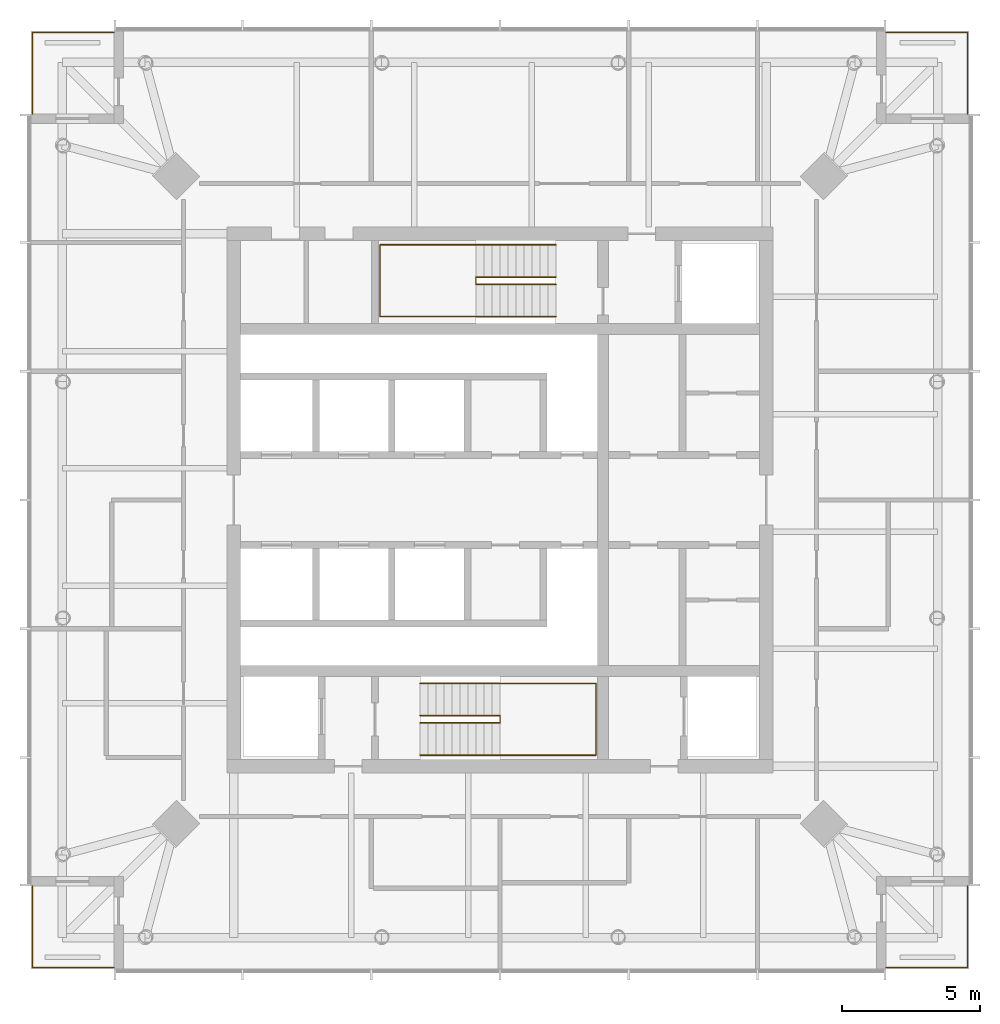
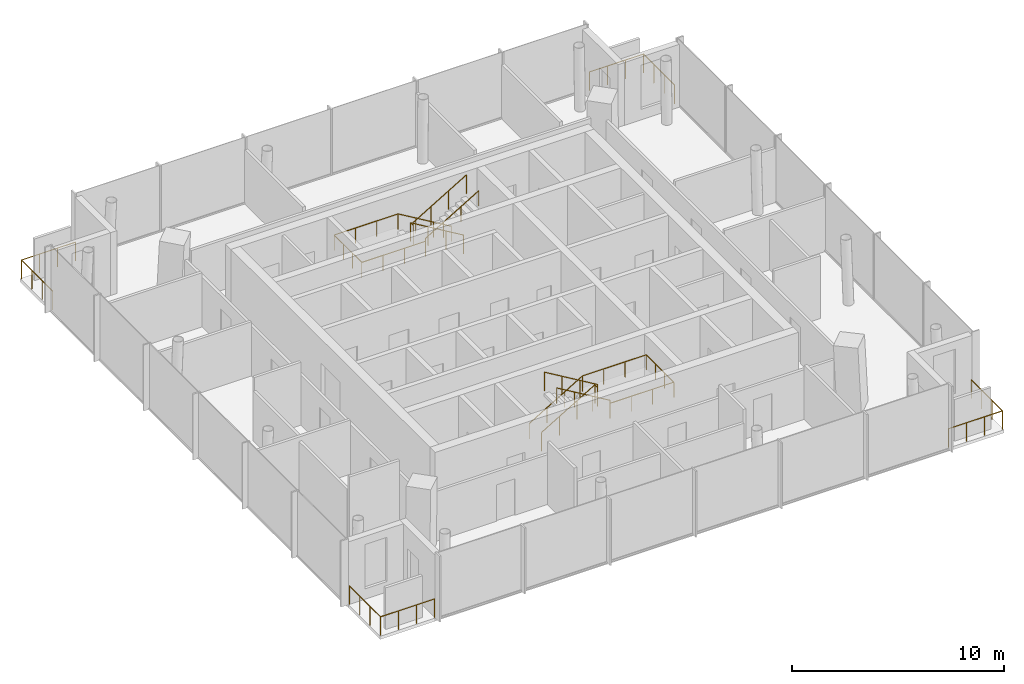
# One storey, part 7 of 7: 8 railings.
"""IFC4 building model written with IfcOpenShell, lengths in metres."""

from ifc_helpers import new_model, si_unit, direction, frame, origin, origin_2d, place, context, subcontext, project, spatial, circle, extrude, material, type_object, element, save


model = new_model("IFC4")

# Units and contexts
model_context = context("Model", 3, precision=1e-05, world=origin(), true_north=direction((0.0, 1.0)))
body_context = subcontext(model_context, "Body", "Model", "MODEL_VIEW")
ifc_project = project(units=[si_unit("LENGTHUNIT", "METRE"), si_unit("AREAUNIT", "SQUARE_METRE"), si_unit("VOLUMEUNIT", "CUBIC_METRE"), si_unit("PLANEANGLEUNIT", "RADIAN"), si_unit("MASSUNIT", "GRAM", prefix="KILO")], contexts=[model_context])

# Site, building, storey
site_placement = place(None, origin())
site = spatial("IfcSite", under=ifc_project, at=site_placement, CompositionType="ELEMENT")
building_placement = place(site_placement, origin())
building = spatial("IfcBuilding", under=site, at=building_placement, Name="Ostroluk Exchange", CompositionType="ELEMENT")
storey_placement = place(building_placement, frame((0.0, 0.0, 275.60009765625)))
storey = spatial("IfcBuildingStorey", under=building, at=storey_placement, Name="L71", CompositionType="ELEMENT", Elevation=275.60009765625)

# Railings
ifc_material_1 = material(Name="Stainless steel", Category="steel")
railing_type_1 = type_object("IfcRailingType", Name="Guard 1100 stainless steel", PredefinedType="GUARDRAIL", material=ifc_material_1)
railing_1_placement = place(storey_placement, frame((59.0, 29.050048828125, 0.0)))
element("IfcRailing", 1, at=railing_1_placement, inside=storey, type_object=railing_type_1, Name="Office tower SE balcony guard L71", PredefinedType="GUARDRAIL", context=body_context, shape_type="SweptSolid", body=[
    extrude(circle(Radius=0.02392578125, at=origin_2d()), frame((0.0, 0.0, 1.076171875), z_axis=(1.0, 0.0, 0.0), x_axis=(0.0, 1.0, 0.0)), (0.0, 0.0, 1.0), 2.949951171875),
    extrude(circle(Radius=0.02392578125, at=origin_2d()), frame((2.949951171875, 0.0, 1.076171875), z_axis=(0.0, 1.0, 0.0), x_axis=(-1.0, 0.0, 0.0)), (0.0, 0.0, 1.0), 2.949951171875),
    extrude(circle(Radius=0.02099609375, at=origin_2d()), origin(), (0.0, 0.0, 1.0), 1.052001953125),
    extrude(circle(Radius=0.02099609375, at=origin_2d()), frame((0.9833984375, 0.0, 0.0)), (0.0, 0.0, 1.0), 1.052001953125),
    extrude(circle(Radius=0.02099609375, at=origin_2d()), frame((1.966552734375, 0.0, 0.0)), (0.0, 0.0, 1.0), 1.052001953125),
    extrude(circle(Radius=0.02099609375, at=origin_2d()), frame((2.949951171875, 0.0, 0.0)), (0.0, 0.0, 1.0), 1.052001953125),
    extrude(circle(Radius=0.02099609375, at=origin_2d()), frame((2.949951171875, 0.9833984375, 0.0)), (0.0, 0.0, 1.0), 1.052001953125),
    extrude(circle(Radius=0.02099609375, at=origin_2d()), frame((2.949951171875, 1.966552734375, 0.0)), (0.0, 0.0, 1.0), 1.052001953125),
    extrude(circle(Radius=0.02099609375, at=origin_2d()), frame((2.949951171875, 2.949951171875, 0.0)), (0.0, 0.0, 1.0), 1.052001953125),
])
railing_2_placement = place(storey_placement, frame((59.0, 62.949951171875, 0.0)))
element("IfcRailing", 2, at=railing_2_placement, inside=storey, type_object=railing_type_1, Name="Office tower NE balcony guard L71", PredefinedType="GUARDRAIL", context=body_context, shape_type="SweptSolid", body=[
    extrude(circle(Radius=0.02392578125, at=origin_2d()), frame((0.0, 0.0, 1.076171875), z_axis=(1.0, 0.0, 0.0), x_axis=(0.0, 1.0, 0.0)), (0.0, 0.0, 1.0), 2.949951171875),
    extrude(circle(Radius=0.02392578125, at=origin_2d()), frame((2.949951171875, 0.0, 1.076171875), z_axis=(0.0, -1.0, 0.0), x_axis=(1.0, 0.0, 0.0)), (0.0, 0.0, 1.0), 2.949951171875),
    extrude(circle(Radius=0.02099609375, at=origin_2d()), origin(), (0.0, 0.0, 1.0), 1.052001953125),
    extrude(circle(Radius=0.02099609375, at=origin_2d()), frame((0.9833984375, 0.0, 0.0)), (0.0, 0.0, 1.0), 1.052001953125),
    extrude(circle(Radius=0.02099609375, at=origin_2d()), frame((1.966552734375, 0.0, 0.0)), (0.0, 0.0, 1.0), 1.052001953125),
    extrude(circle(Radius=0.02099609375, at=origin_2d()), frame((2.949951171875, 0.0, 0.0)), (0.0, 0.0, 1.0), 1.052001953125),
    extrude(circle(Radius=0.02099609375, at=origin_2d()), frame((2.949951171875, -0.9833984375, 0.0)), (0.0, 0.0, 1.0), 1.052001953125),
    extrude(circle(Radius=0.02099609375, at=origin_2d()), frame((2.949951171875, -1.966552734375, 0.0)), (0.0, 0.0, 1.0), 1.052001953125),
    extrude(circle(Radius=0.02099609375, at=origin_2d()), frame((2.949951171875, -2.949951171875, 0.0)), (0.0, 0.0, 1.0), 1.052001953125),
])
railing_3_placement = place(storey_placement, frame((31.0, 62.949951171875, 0.0)))
element("IfcRailing", 3, at=railing_3_placement, inside=storey, type_object=railing_type_1, Name="Office tower NW balcony guard L71", PredefinedType="GUARDRAIL", context=body_context, shape_type="SweptSolid", body=[
    extrude(circle(Radius=0.02392578125, at=origin_2d()), frame((0.0, 0.0, 1.076171875), z_axis=(-1.0, 0.0, 0.0), x_axis=(0.0, -1.0, 0.0)), (0.0, 0.0, 1.0), 2.949951171875),
    extrude(circle(Radius=0.02392578125, at=origin_2d()), frame((-2.949951171875, 0.0, 1.076171875), z_axis=(0.0, -1.0, 0.0), x_axis=(1.0, 0.0, 0.0)), (0.0, 0.0, 1.0), 2.949951171875),
    extrude(circle(Radius=0.02099609375, at=origin_2d()), origin(), (0.0, 0.0, 1.0), 1.052001953125),
    extrude(circle(Radius=0.02099609375, at=origin_2d()), frame((-0.9833984375, 0.0, 0.0)), (0.0, 0.0, 1.0), 1.052001953125),
    extrude(circle(Radius=0.02099609375, at=origin_2d()), frame((-1.966552734375, 0.0, 0.0)), (0.0, 0.0, 1.0), 1.052001953125),
    extrude(circle(Radius=0.02099609375, at=origin_2d()), frame((-2.949951171875, 0.0, 0.0)), (0.0, 0.0, 1.0), 1.052001953125),
    extrude(circle(Radius=0.02099609375, at=origin_2d()), frame((-2.949951171875, -0.9833984375, 0.0)), (0.0, 0.0, 1.0), 1.052001953125),
    extrude(circle(Radius=0.02099609375, at=origin_2d()), frame((-2.949951171875, -1.966552734375, 0.0)), (0.0, 0.0, 1.0), 1.052001953125),
    extrude(circle(Radius=0.02099609375, at=origin_2d()), frame((-2.949951171875, -2.949951171875, 0.0)), (0.0, 0.0, 1.0), 1.052001953125),
])
railing_4_placement = place(storey_placement, frame((31.0, 29.050048828125, 0.0)))
element("IfcRailing", 4, at=railing_4_placement, inside=storey, type_object=railing_type_1, Name="Office tower SW balcony guard L71", PredefinedType="GUARDRAIL", context=body_context, shape_type="SweptSolid", body=[
    extrude(circle(Radius=0.02392578125, at=origin_2d()), frame((0.0, 0.0, 1.076171875), z_axis=(-1.0, 0.0, 0.0), x_axis=(0.0, -1.0, 0.0)), (0.0, 0.0, 1.0), 2.949951171875),
    extrude(circle(Radius=0.02392578125, at=origin_2d()), frame((-2.949951171875, 0.0, 1.076171875), z_axis=(0.0, 1.0, 0.0), x_axis=(-1.0, 0.0, 0.0)), (0.0, 0.0, 1.0), 2.949951171875),
    extrude(circle(Radius=0.02099609375, at=origin_2d()), origin(), (0.0, 0.0, 1.0), 1.052001953125),
    extrude(circle(Radius=0.02099609375, at=origin_2d()), frame((-0.9833984375, 0.0, 0.0)), (0.0, 0.0, 1.0), 1.052001953125),
    extrude(circle(Radius=0.02099609375, at=origin_2d()), frame((-1.966552734375, 0.0, 0.0)), (0.0, 0.0, 1.0), 1.052001953125),
    extrude(circle(Radius=0.02099609375, at=origin_2d()), frame((-2.949951171875, 0.0, 0.0)), (0.0, 0.0, 1.0), 1.052001953125),
    extrude(circle(Radius=0.02099609375, at=origin_2d()), frame((-2.949951171875, 0.9833984375, 0.0)), (0.0, 0.0, 1.0), 1.052001953125),
    extrude(circle(Radius=0.02099609375, at=origin_2d()), frame((-2.949951171875, 1.966552734375, 0.0)), (0.0, 0.0, 1.0), 1.052001953125),
    extrude(circle(Radius=0.02099609375, at=origin_2d()), frame((-2.949951171875, 2.949951171875, 0.0)), (0.0, 0.0, 1.0), 1.052001953125),
])
ifc_material_2 = material(Name="Steel S355", Category="steel")
railing_type_2 = type_object("IfcRailingType", Name="Stair guard 1100", PredefinedType="GUARDRAIL", material=ifc_material_2)
railing_5_placement = place(storey_placement, frame((42.10009765625, 38.179931640625, 0.172607421875)))
element("IfcRailing", 5, at=railing_5_placement, inside=storey, type_object=railing_type_2, Name="Stair T1-S1 guard L71", PredefinedType="GUARDRAIL", context=body_context, shape_type="SweptSolid", body=[
    extrude(circle(Radius=0.02392578125, at=origin_2d()), frame((0.0, 0.0, 1.076171875), z_axis=(0.859141464434, 0.0, 0.511738159696), x_axis=(0.0, 1.0, 0.0)), (0.0, 0.0, 1.0), 3.375244140625),
    extrude(circle(Radius=0.02392578125, at=origin_2d()), frame((2.89990234375, 0.0, 2.80322265625), z_axis=(0.0, -1.0, 0.0), x_axis=(1.0, 0.0, 0.0)), (0.0, 0.0, 1.0), 0.260009765625),
    extrude(circle(Radius=0.02392578125, at=origin_2d()), frame((2.89990234375, -0.260009765625, 2.80322265625), z_axis=(0.0, 0.0, 1.0), x_axis=(1.0, 0.0, 0.0)), (0.0, 0.0, 1.0), 0.172607421875),
    extrude(circle(Radius=0.02392578125, at=origin_2d()), frame((2.89990234375, -0.260009765625, 2.97607421875), z_axis=(-0.859141464434, 0.0, 0.511738159696), x_axis=(0.0, -1.0, 0.0)), (0.0, 0.0, 1.0), 3.375244140625),
    extrude(circle(Radius=0.02099609375, at=origin_2d()), origin(), (0.0, 0.0, 1.0), 1.052001953125),
    extrude(circle(Radius=0.02099609375, at=origin_2d()), frame((0.966552734375, 0.0, 0.57568359375)), (0.0, 0.0, 1.0), 1.052001953125),
    extrude(circle(Radius=0.02099609375, at=origin_2d()), frame((1.933349609375, 0.0, 1.151611328125)), (0.0, 0.0, 1.0), 1.052001953125),
    extrude(circle(Radius=0.02099609375, at=origin_2d()), frame((2.89990234375, 0.0, 1.727294921875)), (0.0, 0.0, 1.0), 1.052001953125),
    extrude(circle(Radius=0.02099609375, at=origin_2d()), frame((2.89990234375, -0.260009765625, 1.727294921875)), (0.0, 0.0, 1.0), 1.052001953125),
    extrude(circle(Radius=0.02099609375, at=origin_2d()), frame((2.89990234375, -0.260009765625, 1.89990234375)), (0.0, 0.0, 1.0), 1.052001953125),
    extrude(circle(Radius=0.02099609375, at=origin_2d()), frame((1.933349609375, -0.260009765625, 2.4755859375)), (0.0, 0.0, 1.0), 1.052001953125),
    extrude(circle(Radius=0.02099609375, at=origin_2d()), frame((0.966552734375, -0.260009765625, 3.051513671875)), (0.0, 0.0, 1.0), 1.052001953125),
    extrude(circle(Radius=0.02099609375, at=origin_2d()), frame((0.0, -0.260009765625, 3.627197265625)), (0.0, 0.0, 1.0), 1.052001953125),
])
railing_6_placement = place(storey_placement, frame((47.030029296875, 54.080078125, 0.172607421875)))
element("IfcRailing", 6, at=railing_6_placement, inside=storey, type_object=railing_type_2, Name="Stair T1-S2 guard L71", PredefinedType="GUARDRAIL", context=body_context, shape_type="SweptSolid", body=[
    extrude(circle(Radius=0.02392578125, at=origin_2d()), frame((0.0, 0.0, 1.076171875), z_axis=(-0.859160404282, 0.0, 0.51170636083), x_axis=(0.0, -1.0, 0.0)), (0.0, 0.0, 1.0), 3.37548828125),
    extrude(circle(Radius=0.02392578125, at=origin_2d()), frame((-2.900146484375, 0.0, 2.80322265625), z_axis=(0.0, -1.0, 0.0), x_axis=(1.0, 0.0, 0.0)), (0.0, 0.0, 1.0), 0.260009765625),
    extrude(circle(Radius=0.02392578125, at=origin_2d()), frame((-2.900146484375, -0.260009765625, 2.80322265625), z_axis=(0.0, 0.0, 1.0), x_axis=(1.0, 0.0, 0.0)), (0.0, 0.0, 1.0), 0.172607421875),
    extrude(circle(Radius=0.02392578125, at=origin_2d()), frame((-2.900146484375, -0.260009765625, 2.97607421875), z_axis=(0.859160404282, 0.0, 0.51170636083), x_axis=(0.0, 1.0, 0.0)), (0.0, 0.0, 1.0), 3.37548828125),
    extrude(circle(Radius=0.02099609375, at=origin_2d()), origin(), (0.0, 0.0, 1.0), 1.052001953125),
    extrude(circle(Radius=0.02099609375, at=origin_2d()), frame((-0.966796875, 0.0, 0.57568359375)), (0.0, 0.0, 1.0), 1.052001953125),
    extrude(circle(Radius=0.02099609375, at=origin_2d()), frame((-1.933349609375, 0.0, 1.151611328125)), (0.0, 0.0, 1.0), 1.052001953125),
    extrude(circle(Radius=0.02099609375, at=origin_2d()), frame((-2.900146484375, 0.0, 1.727294921875)), (0.0, 0.0, 1.0), 1.052001953125),
    extrude(circle(Radius=0.02099609375, at=origin_2d()), frame((-2.900146484375, -0.260009765625, 1.727294921875)), (0.0, 0.0, 1.0), 1.052001953125),
    extrude(circle(Radius=0.02099609375, at=origin_2d()), frame((-2.900146484375, -0.260009765625, 1.89990234375)), (0.0, 0.0, 1.0), 1.052001953125),
    extrude(circle(Radius=0.02099609375, at=origin_2d()), frame((-1.933349609375, -0.260009765625, 2.4755859375)), (0.0, 0.0, 1.0), 1.052001953125),
    extrude(circle(Radius=0.02099609375, at=origin_2d()), frame((-0.966796875, -0.260009765625, 3.051513671875)), (0.0, 0.0, 1.0), 1.052001953125),
    extrude(circle(Radius=0.02099609375, at=origin_2d()), frame((0.0, -0.260009765625, 3.627197265625)), (0.0, 0.0, 1.0), 1.052001953125),
])
ifc_material_3 = material(Name="Stainless steel", Category="steel")
railing_type_3 = type_object("IfcRailingType", Name="Stair handrail 900", PredefinedType="HANDRAIL", material=ifc_material_3)
railing_7_placement = place(storey_placement, frame((42.10009765625, 39.35009765625, 0.172607421875)))
element("IfcRailing", 7, at=railing_7_placement, inside=storey, type_object=railing_type_3, Name="Stair T1-S1 handrail L71", PredefinedType="HANDRAIL", context=body_context, shape_type="SweptSolid", body=[
    extrude(circle(Radius=0.02392578125, at=origin_2d()), frame((0.0, 0.0, 0.8759765625), z_axis=(0.859141464434, 0.0, 0.511738159696), x_axis=(0.0, 1.0, 0.0)), (0.0, 0.0, 1.0), 3.375244140625),
    extrude(circle(Radius=0.02392578125, at=origin_2d()), frame((2.89990234375, 0.0, 2.60302734375), z_axis=(1.0, 0.0, 0.0), x_axis=(0.0, 1.0, 0.0)), (0.0, 0.0, 1.0), 3.47998046875),
    extrude(circle(Radius=0.02392578125, at=origin_2d()), frame((6.3798828125, 0.0, 2.60302734375), z_axis=(0.0, -1.0, 0.0), x_axis=(1.0, 0.0, 0.0)), (0.0, 0.0, 1.0), 2.60009765625),
    extrude(circle(Radius=0.02392578125, at=origin_2d()), frame((6.3798828125, -2.60009765625, 2.60302734375), z_axis=(-1.0, 0.0, 0.0), x_axis=(0.0, -1.0, 0.0)), (0.0, 0.0, 1.0), 3.47998046875),
    extrude(circle(Radius=0.02392578125, at=origin_2d()), frame((2.89990234375, -2.60009765625, 2.60302734375), z_axis=(0.0, 0.0, 1.0), x_axis=(1.0, 0.0, 0.0)), (0.0, 0.0, 1.0), 0.172607421875),
    extrude(circle(Radius=0.02392578125, at=origin_2d()), frame((2.89990234375, -2.60009765625, 2.77587890625), z_axis=(-0.859141464434, 0.0, 0.511738159696), x_axis=(0.0, -1.0, 0.0)), (0.0, 0.0, 1.0), 3.375244140625),
    extrude(circle(Radius=0.02099609375, at=origin_2d()), origin(), (0.0, 0.0, 1.0), 0.851806640625),
    extrude(circle(Radius=0.02099609375, at=origin_2d()), frame((0.966552734375, 0.0, 0.57568359375)), (0.0, 0.0, 1.0), 0.851806640625),
    extrude(circle(Radius=0.02099609375, at=origin_2d()), frame((1.933349609375, 0.0, 1.151611328125)), (0.0, 0.0, 1.0), 0.851806640625),
    extrude(circle(Radius=0.02099609375, at=origin_2d()), frame((2.89990234375, 0.0, 1.727294921875)), (0.0, 0.0, 1.0), 0.851806640625),
    extrude(circle(Radius=0.02099609375, at=origin_2d()), frame((4.059814453125, 0.0, 1.727294921875)), (0.0, 0.0, 1.0), 0.851806640625),
    extrude(circle(Radius=0.02099609375, at=origin_2d()), frame((5.219970703125, 0.0, 1.727294921875)), (0.0, 0.0, 1.0), 0.851806640625),
    extrude(circle(Radius=0.02099609375, at=origin_2d()), frame((6.3798828125, 0.0, 1.727294921875)), (0.0, 0.0, 1.0), 0.851806640625),
    extrude(circle(Radius=0.02099609375, at=origin_2d()), frame((6.3798828125, -0.86669921875, 1.727294921875)), (0.0, 0.0, 1.0), 0.851806640625),
    extrude(circle(Radius=0.02099609375, at=origin_2d()), frame((6.3798828125, -1.7333984375, 1.727294921875)), (0.0, 0.0, 1.0), 0.851806640625),
    extrude(circle(Radius=0.02099609375, at=origin_2d()), frame((6.3798828125, -2.60009765625, 1.727294921875)), (0.0, 0.0, 1.0), 0.851806640625),
    extrude(circle(Radius=0.02099609375, at=origin_2d()), frame((5.219970703125, -2.60009765625, 1.727294921875)), (0.0, 0.0, 1.0), 0.851806640625),
    extrude(circle(Radius=0.02099609375, at=origin_2d()), frame((4.059814453125, -2.60009765625, 1.727294921875)), (0.0, 0.0, 1.0), 0.851806640625),
    extrude(circle(Radius=0.02099609375, at=origin_2d()), frame((2.89990234375, -2.60009765625, 1.727294921875)), (0.0, 0.0, 1.0), 0.851806640625),
    extrude(circle(Radius=0.02099609375, at=origin_2d()), frame((2.89990234375, -2.60009765625, 1.89990234375)), (0.0, 0.0, 1.0), 0.851806640625),
    extrude(circle(Radius=0.02099609375, at=origin_2d()), frame((1.933349609375, -2.60009765625, 2.4755859375)), (0.0, 0.0, 1.0), 0.851806640625),
    extrude(circle(Radius=0.02099609375, at=origin_2d()), frame((0.966552734375, -2.60009765625, 3.051513671875)), (0.0, 0.0, 1.0), 0.851806640625),
    extrude(circle(Radius=0.02099609375, at=origin_2d()), frame((0.0, -2.60009765625, 3.627197265625)), (0.0, 0.0, 1.0), 0.851806640625),
])
railing_8_placement = place(storey_placement, frame((47.030029296875, 55.25, 0.172607421875)))
element("IfcRailing", 8, at=railing_8_placement, inside=storey, type_object=railing_type_3, Name="Stair T1-S2 handrail L71", PredefinedType="HANDRAIL", context=body_context, shape_type="SweptSolid", body=[
    extrude(circle(Radius=0.02392578125, at=origin_2d()), frame((0.0, 0.0, 0.8759765625), z_axis=(-0.859160404282, 0.0, 0.51170636083), x_axis=(0.0, -1.0, 0.0)), (0.0, 0.0, 1.0), 3.37548828125),
    extrude(circle(Radius=0.02392578125, at=origin_2d()), frame((-2.900146484375, 0.0, 2.60302734375), z_axis=(-1.0, 0.0, 0.0), x_axis=(0.0, -1.0, 0.0)), (0.0, 0.0, 1.0), 3.47998046875),
    extrude(circle(Radius=0.02392578125, at=origin_2d()), frame((-6.380126953125, 0.0, 2.60302734375), z_axis=(0.0, -1.0, 0.0), x_axis=(1.0, 0.0, 0.0)), (0.0, 0.0, 1.0), 2.60009765625),
    extrude(circle(Radius=0.02392578125, at=origin_2d()), frame((-6.380126953125, -2.60009765625, 2.60302734375), z_axis=(1.0, 0.0, 0.0), x_axis=(0.0, 1.0, 0.0)), (0.0, 0.0, 1.0), 3.47998046875),
    extrude(circle(Radius=0.02392578125, at=origin_2d()), frame((-2.900146484375, -2.60009765625, 2.60302734375), z_axis=(0.0, 0.0, 1.0), x_axis=(1.0, 0.0, 0.0)), (0.0, 0.0, 1.0), 0.172607421875),
    extrude(circle(Radius=0.02392578125, at=origin_2d()), frame((-2.900146484375, -2.60009765625, 2.77587890625), z_axis=(0.859160404282, 0.0, 0.51170636083), x_axis=(0.0, 1.0, 0.0)), (0.0, 0.0, 1.0), 3.37548828125),
    extrude(circle(Radius=0.02099609375, at=origin_2d()), origin(), (0.0, 0.0, 1.0), 0.851806640625),
    extrude(circle(Radius=0.02099609375, at=origin_2d()), frame((-0.966796875, 0.0, 0.57568359375)), (0.0, 0.0, 1.0), 0.851806640625),
    extrude(circle(Radius=0.02099609375, at=origin_2d()), frame((-1.933349609375, 0.0, 1.151611328125)), (0.0, 0.0, 1.0), 0.851806640625),
    extrude(circle(Radius=0.02099609375, at=origin_2d()), frame((-2.900146484375, 0.0, 1.727294921875)), (0.0, 0.0, 1.0), 0.851806640625),
    extrude(circle(Radius=0.02099609375, at=origin_2d()), frame((-4.06005859375, 0.0, 1.727294921875)), (0.0, 0.0, 1.0), 0.851806640625),
    extrude(circle(Radius=0.02099609375, at=origin_2d()), frame((-5.22021484375, 0.0, 1.727294921875)), (0.0, 0.0, 1.0), 0.851806640625),
    extrude(circle(Radius=0.02099609375, at=origin_2d()), frame((-6.380126953125, 0.0, 1.727294921875)), (0.0, 0.0, 1.0), 0.851806640625),
    extrude(circle(Radius=0.02099609375, at=origin_2d()), frame((-6.380126953125, -0.86669921875, 1.727294921875)), (0.0, 0.0, 1.0), 0.851806640625),
    extrude(circle(Radius=0.02099609375, at=origin_2d()), frame((-6.380126953125, -1.7333984375, 1.727294921875)), (0.0, 0.0, 1.0), 0.851806640625),
    extrude(circle(Radius=0.02099609375, at=origin_2d()), frame((-6.380126953125, -2.60009765625, 1.727294921875)), (0.0, 0.0, 1.0), 0.851806640625),
    extrude(circle(Radius=0.02099609375, at=origin_2d()), frame((-5.22021484375, -2.60009765625, 1.727294921875)), (0.0, 0.0, 1.0), 0.851806640625),
    extrude(circle(Radius=0.02099609375, at=origin_2d()), frame((-4.06005859375, -2.60009765625, 1.727294921875)), (0.0, 0.0, 1.0), 0.851806640625),
    extrude(circle(Radius=0.02099609375, at=origin_2d()), frame((-2.900146484375, -2.60009765625, 1.727294921875)), (0.0, 0.0, 1.0), 0.851806640625),
    extrude(circle(Radius=0.02099609375, at=origin_2d()), frame((-2.900146484375, -2.60009765625, 1.89990234375)), (0.0, 0.0, 1.0), 0.851806640625),
    extrude(circle(Radius=0.02099609375, at=origin_2d()), frame((-1.933349609375, -2.60009765625, 2.4755859375)), (0.0, 0.0, 1.0), 0.851806640625),
    extrude(circle(Radius=0.02099609375, at=origin_2d()), frame((-0.966796875, -2.60009765625, 3.051513671875)), (0.0, 0.0, 1.0), 0.851806640625),
    extrude(circle(Radius=0.02099609375, at=origin_2d()), frame((0.0, -2.60009765625, 3.627197265625)), (0.0, 0.0, 1.0), 0.851806640625),
])

save(model, "model.ifc")
